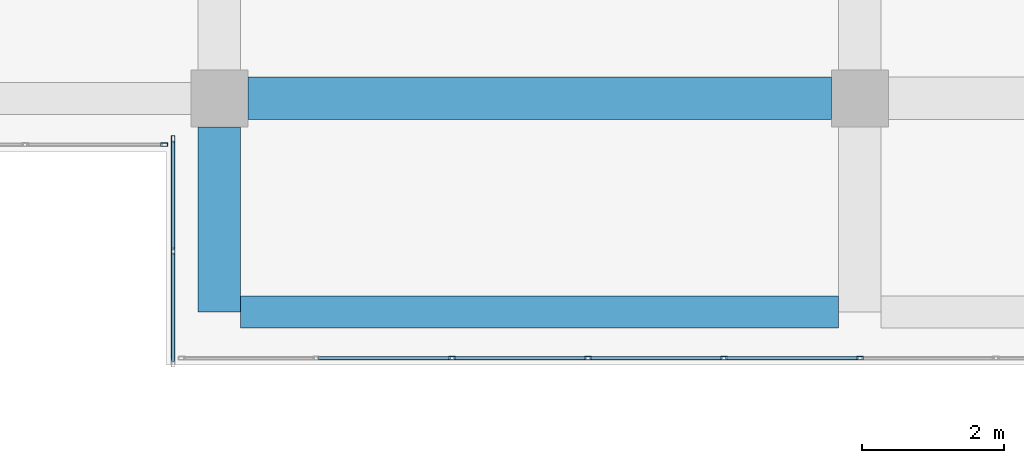
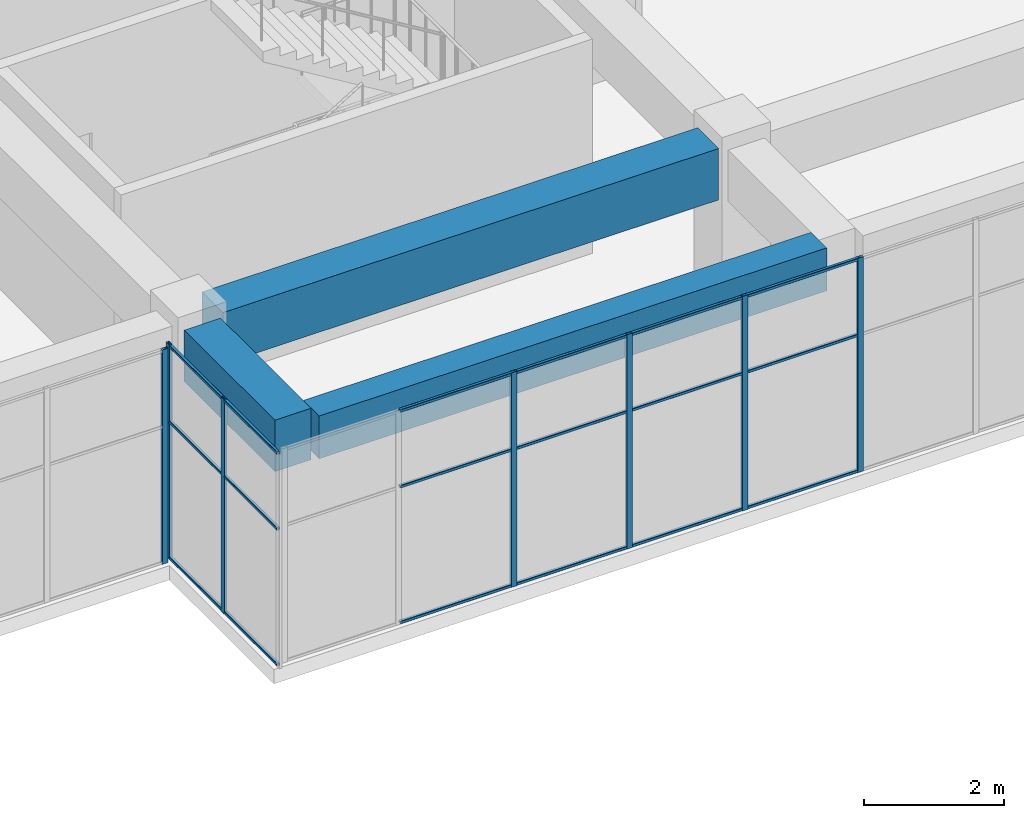
# One storey, part 24 of 55: 25 members, 3 beams, 3 elements without a shape of their own.
"""IFC4 building model written with IfcOpenShell, lengths in metres."""

from ifc_helpers import new_model, si_unit, direction, frame, origin, origin_2d, place, context, subcontext, project, spatial, rectangle, hollow_rectangle, extrude, material, layer, layer_set, material_profile, profile_set, type_object, element, aggregate, save


model = new_model("IFC4")

# Units and contexts
model_context = context("Model", 3, precision=1e-05, world=origin(), true_north=direction((0.0, 1.0)))
body_context = subcontext(model_context, "Body", "Model", "MODEL_VIEW")
ifc_project = project(units=[si_unit("LENGTHUNIT", "METRE"), si_unit("AREAUNIT", "SQUARE_METRE"), si_unit("VOLUMEUNIT", "CUBIC_METRE"), si_unit("PLANEANGLEUNIT", "RADIAN"), si_unit("MASSUNIT", "GRAM", prefix="KILO")], contexts=[model_context])

# Site, building, storey
site_placement = place(None, origin())
site = spatial("IfcSite", under=ifc_project, at=site_placement, CompositionType="ELEMENT")
building_placement = place(site_placement, origin())
building = spatial("IfcBuilding", under=site, at=building_placement, Name="Tuart Plaza Theatre", CompositionType="ELEMENT")
storey_placement = place(building_placement, frame((0.0, 0.0, 21.5)))
storey = spatial("IfcBuildingStorey", under=building, at=storey_placement, Name="L05", CompositionType="ELEMENT", Elevation=21.5)

# Beams
ifc_material_1 = material(Name="Concrete N40 (40 MPa)", Category="concrete")
ifc_material_profile_1 = material_profile(ifc_material_1, rectangle(XDim=0.449951171875, YDim=0.75, at=origin_2d()), Name="BEAM 450x750 Concrete N40 (40 MPa)")
ifc_profile_set_1 = profile_set([ifc_material_profile_1], Name="Concrete N40 (40 MPa)")
beam_type_1 = type_object("IfcBeamType", Name="BEAM 450x750 Concrete N40 (40 MPa)", PredefinedType="BEAM", material=ifc_profile_set_1)
beam_1_placement = place(storey_placement, frame((132.300048828125, 53.0, 3.375), z_axis=(1.0, 0.0, 0.0), x_axis=(0.0, 1.0, 0.0)))
element("IfcBeam", 1, at=beam_1_placement, inside=storey, type_object=beam_type_1, Name="RB221", PredefinedType="BEAM", context=body_context, shape_type="SweptSolid", body=[
    extrude(rectangle(XDim=0.449951171875, YDim=0.75, at=origin_2d()), origin(), (0.0, 0.0, 1.0), 8.39990234375),
])
ifc_material_2 = material(Name="Concrete N40 (40 MPa)", Category="concrete")
ifc_material_profile_2 = material_profile(ifc_material_2, rectangle(XDim=0.60009765625, YDim=0.89990234375, at=origin_2d()), Name="BEAM 600x900 Concrete N40 (40 MPa)")
ifc_profile_set_2 = profile_set([ifc_material_profile_2], Name="Concrete N40 (40 MPa)")
beam_type_2 = type_object("IfcBeamType", Name="BEAM 600x900 Concrete N40 (40 MPa)", PredefinedType="BEAM", material=ifc_profile_set_2)
beam_2_placement = place(storey_placement, frame((132.0, 53.0, 3.300048828125), z_axis=(0.0, 1.0, 0.0), x_axis=(-1.0, 0.0, 0.0)))
element("IfcBeam", 2, at=beam_2_placement, inside=storey, type_object=beam_type_2, Name="RB220", PredefinedType="BEAM", context=body_context, shape_type="SweptSolid", body=[
    extrude(rectangle(XDim=0.60009765625, YDim=0.89990234375, at=origin_2d()), origin(), (0.0, 0.0, 1.0), 2.60009765625),
])
beam_3_placement = place(storey_placement, frame((132.39990234375, 56.0, 3.300048828125), z_axis=(1.0, 0.0, 0.0), x_axis=(0.0, 1.0, 0.0)))
element("IfcBeam", 3, at=beam_3_placement, inside=storey, type_object=beam_type_2, Name="RB223", PredefinedType="BEAM", context=body_context, shape_type="SweptSolid", body=[
    extrude(rectangle(XDim=0.60009765625, YDim=0.89990234375, at=origin_2d()), origin(), (0.0, 0.0, 1.0), 8.2001953125),
])

# Curtain wall, members
ifc_material_3 = material(Name="Aluminium and glass", Category="aluminium")
ifc_layer = layer(ifc_material_3, 0.10009765625)
ifc_layer_set = layer_set([ifc_layer], Name="CURTAIN WALL 2000 module")
curtain_wall_type = type_object("IfcCurtainWallType", Name="CURTAIN WALL 2000 module", PredefinedType="NOTDEFINED", material=ifc_layer_set)
curtain_wall_1_placement = place(storey_placement, origin())
curtain_wall_1 = element("IfcCurtainWall", 4, at=curtain_wall_1_placement, inside=storey, type_object=curtain_wall_type, Name="CW75", PredefinedType="NOTDEFINED")
ifc_material_4 = material(Name="Aluminium 6063-T5", Category="aluminium")
ifc_material_profile_3 = material_profile(ifc_material_4, hollow_rectangle(XDim=0.050048828125, YDim=0.10009765625, WallThickness=0.00390625, InnerFilletRadius=0.00390625, OuterFilletRadius=0.008056640625, at=origin_2d()), Name="RHS 100x50x4")
ifc_profile_set_3 = profile_set([ifc_material_profile_3], Name="Aluminium 6063-T5")
member_type_1 = type_object("IfcMemberType", Name="MULLION RHS 100x50x4", PredefinedType="MULLION", material=ifc_profile_set_3)
member_1_placement = place(storey_placement, frame((131.35009765625, 55.425048828125, 0.0), z_axis=(0.0, 0.0, 1.0), x_axis=(1.0, 0.0, 0.0)))
member_1 = element("IfcMember", 5, at=member_1_placement, type_object=member_type_1, Name="CW75 mullion 1", PredefinedType="MULLION", context=body_context, shape_type="SweptSolid", body=[
    extrude(hollow_rectangle(XDim=0.050048828125, YDim=0.10009765625, WallThickness=0.00390625, InnerFilletRadius=0.00390625, OuterFilletRadius=0.008056640625, at=origin_2d()), origin(), (0.0, 0.0, 1.0), 3.75),
])
member_2_placement = place(storey_placement, frame((131.35009765625, 53.85009765625, 0.0), z_axis=(0.0, 0.0, 1.0), x_axis=(1.0, 0.0, 0.0)))
member_2 = element("IfcMember", 6, at=member_2_placement, type_object=member_type_1, Name="CW75 mullion 2", PredefinedType="MULLION", context=body_context, shape_type="SweptSolid", body=[
    extrude(hollow_rectangle(XDim=0.050048828125, YDim=0.10009765625, WallThickness=0.00390625, InnerFilletRadius=0.00390625, OuterFilletRadius=0.008056640625, at=origin_2d()), origin(), (0.0, 0.0, 1.0), 3.75),
])

curtain_wall_2_placement = place(storey_placement, origin())
curtain_wall_2 = element("IfcCurtainWall", 7, at=curtain_wall_2_placement, inside=storey, type_object=curtain_wall_type, Name="CW76", PredefinedType="NOTDEFINED")
member_3_placement = place(storey_placement, frame((135.27001953125, 52.35009765625, 0.0), z_axis=(0.0, 0.0, 1.0), x_axis=(0.0, 1.0, 0.0)))
member_3 = element("IfcMember", 8, at=member_3_placement, type_object=member_type_1, Name="CW76 mullion 3", PredefinedType="MULLION", context=body_context, shape_type="SweptSolid", body=[
    extrude(hollow_rectangle(XDim=0.050048828125, YDim=0.10009765625, WallThickness=0.00390625, InnerFilletRadius=0.00390625, OuterFilletRadius=0.008056640625, at=origin_2d()), origin(), (0.0, 0.0, 1.0), 3.75),
])
member_4_placement = place(storey_placement, frame((137.179931640625, 52.35009765625, 0.0), z_axis=(0.0, 0.0, 1.0), x_axis=(0.0, 1.0, 0.0)))
member_4 = element("IfcMember", 9, at=member_4_placement, type_object=member_type_1, Name="CW76 mullion 4", PredefinedType="MULLION", context=body_context, shape_type="SweptSolid", body=[
    extrude(hollow_rectangle(XDim=0.050048828125, YDim=0.10009765625, WallThickness=0.00390625, InnerFilletRadius=0.00390625, OuterFilletRadius=0.008056640625, at=origin_2d()), origin(), (0.0, 0.0, 1.0), 3.75),
])
member_5_placement = place(storey_placement, frame((139.090087890625, 52.35009765625, 0.0), z_axis=(0.0, 0.0, 1.0), x_axis=(0.0, 1.0, 0.0)))
member_5 = element("IfcMember", 10, at=member_5_placement, type_object=member_type_1, Name="CW76 mullion 5", PredefinedType="MULLION", context=body_context, shape_type="SweptSolid", body=[
    extrude(hollow_rectangle(XDim=0.050048828125, YDim=0.10009765625, WallThickness=0.00390625, InnerFilletRadius=0.00390625, OuterFilletRadius=0.008056640625, at=origin_2d()), origin(), (0.0, 0.0, 1.0), 3.75),
])
member_6_placement = place(storey_placement, frame((141.0, 52.35009765625, 0.0), z_axis=(0.0, 0.0, 1.0), x_axis=(0.0, 1.0, 0.0)))
member_6 = element("IfcMember", 11, at=member_6_placement, type_object=member_type_1, Name="CW76 mullion 6", PredefinedType="MULLION", context=body_context, shape_type="SweptSolid", body=[
    extrude(hollow_rectangle(XDim=0.050048828125, YDim=0.10009765625, WallThickness=0.00390625, InnerFilletRadius=0.00390625, OuterFilletRadius=0.008056640625, at=origin_2d()), origin(), (0.0, 0.0, 1.0), 3.75),
])

# Curtain wall, member
curtain_wall_3_placement = place(storey_placement, origin())
curtain_wall_3 = element("IfcCurtainWall", 12, at=curtain_wall_3_placement, inside=storey, type_object=curtain_wall_type, Name="CW87", PredefinedType="NOTDEFINED")
member_7_placement = place(storey_placement, frame((131.22509765625, 55.35009765625, 0.0), z_axis=(0.0, 0.0, 1.0), x_axis=(0.0, 1.0, 0.0)))
member_7 = element("IfcMember", 13, at=member_7_placement, type_object=member_type_1, Name="CW87 mullion 10", PredefinedType="MULLION", context=body_context, shape_type="SweptSolid", body=[
    extrude(hollow_rectangle(XDim=0.050048828125, YDim=0.10009765625, WallThickness=0.00390625, InnerFilletRadius=0.00390625, OuterFilletRadius=0.008056640625, at=origin_2d()), origin(), (0.0, 0.0, 1.0), 3.75),
])
aggregate(curtain_wall_3, [member_7])

# Member
ifc_material_5 = material(Name="Aluminium 6063-T5", Category="aluminium")
ifc_material_profile_4 = material_profile(ifc_material_5, hollow_rectangle(XDim=0.050048828125, YDim=0.050048828125, WallThickness=0.00390625, InnerFilletRadius=0.00390625, OuterFilletRadius=0.008056640625, at=origin_2d()), Name="RHS 50x50x4")
ifc_profile_set_4 = profile_set([ifc_material_profile_4], Name="Aluminium 6063-T5")
member_type_2 = type_object("IfcMemberType", Name="TRANSOM RHS 50x50x4", PredefinedType="USERDEFINED", material=ifc_profile_set_4)
member_8_placement = place(storey_placement, frame((131.35009765625, 55.39990234375, 0.02490234375), z_axis=(0.0, -1.0, 0.0), x_axis=(1.0, 0.0, 0.0)))
member_8 = element("IfcMember", 14, at=member_8_placement, type_object=member_type_2, Name="CW75 transom 1.1", ObjectType="TRANSOM", PredefinedType="USERDEFINED", context=body_context, shape_type="SweptSolid", body=[
    extrude(hollow_rectangle(XDim=0.050048828125, YDim=0.050048828125, WallThickness=0.00390625, InnerFilletRadius=0.00390625, OuterFilletRadius=0.008056640625, at=origin_2d()), origin(), (0.0, 0.0, 1.0), 1.52490234375),
])

member_9_placement = place(storey_placement, frame((131.35009765625, 55.39990234375, 2.39990234375), z_axis=(0.0, -1.0, 0.0), x_axis=(1.0, 0.0, 0.0)))
member_9 = element("IfcMember", 15, at=member_9_placement, type_object=member_type_2, Name="CW75 transom 1.2", ObjectType="TRANSOM", PredefinedType="USERDEFINED", context=body_context, shape_type="SweptSolid", body=[
    extrude(hollow_rectangle(XDim=0.050048828125, YDim=0.050048828125, WallThickness=0.00390625, InnerFilletRadius=0.00390625, OuterFilletRadius=0.008056640625, at=origin_2d()), origin(), (0.0, 0.0, 1.0), 1.52490234375),
])

member_10_placement = place(storey_placement, frame((131.35009765625, 55.39990234375, 3.72509765625), z_axis=(0.0, -1.0, 0.0), x_axis=(1.0, 0.0, 0.0)))
member_10 = element("IfcMember", 16, at=member_10_placement, type_object=member_type_2, Name="CW75 transom 1.3", ObjectType="TRANSOM", PredefinedType="USERDEFINED", context=body_context, shape_type="SweptSolid", body=[
    extrude(hollow_rectangle(XDim=0.050048828125, YDim=0.050048828125, WallThickness=0.00390625, InnerFilletRadius=0.00390625, OuterFilletRadius=0.008056640625, at=origin_2d()), origin(), (0.0, 0.0, 1.0), 1.52490234375),
])

member_11_placement = place(storey_placement, frame((131.35009765625, 53.824951171875, 0.02490234375), z_axis=(0.0, -1.0, 0.0), x_axis=(1.0, 0.0, 0.0)))
member_11 = element("IfcMember", 17, at=member_11_placement, type_object=member_type_2, Name="CW75 transom 2.1", ObjectType="TRANSOM", PredefinedType="USERDEFINED", context=body_context, shape_type="SweptSolid", body=[
    extrude(hollow_rectangle(XDim=0.050048828125, YDim=0.050048828125, WallThickness=0.00390625, InnerFilletRadius=0.00390625, OuterFilletRadius=0.008056640625, at=origin_2d()), origin(), (0.0, 0.0, 1.0), 1.52490234375),
])

member_12_placement = place(storey_placement, frame((131.35009765625, 53.824951171875, 2.39990234375), z_axis=(0.0, -1.0, 0.0), x_axis=(1.0, 0.0, 0.0)))
member_12 = element("IfcMember", 18, at=member_12_placement, type_object=member_type_2, Name="CW75 transom 2.2", ObjectType="TRANSOM", PredefinedType="USERDEFINED", context=body_context, shape_type="SweptSolid", body=[
    extrude(hollow_rectangle(XDim=0.050048828125, YDim=0.050048828125, WallThickness=0.00390625, InnerFilletRadius=0.00390625, OuterFilletRadius=0.008056640625, at=origin_2d()), origin(), (0.0, 0.0, 1.0), 1.52490234375),
])

member_13_placement = place(storey_placement, frame((131.35009765625, 53.824951171875, 3.72509765625), z_axis=(0.0, -1.0, 0.0), x_axis=(1.0, 0.0, 0.0)))
member_13 = element("IfcMember", 19, at=member_13_placement, type_object=member_type_2, Name="CW75 transom 2.3", ObjectType="TRANSOM", PredefinedType="USERDEFINED", context=body_context, shape_type="SweptSolid", body=[
    extrude(hollow_rectangle(XDim=0.050048828125, YDim=0.050048828125, WallThickness=0.00390625, InnerFilletRadius=0.00390625, OuterFilletRadius=0.008056640625, at=origin_2d()), origin(), (0.0, 0.0, 1.0), 1.52490234375),
])

aggregate(curtain_wall_1, [member_1, member_2, member_8, member_9, member_10, member_11, member_12, member_13])

member_14_placement = place(storey_placement, frame((133.385009765625, 52.35009765625, 0.02490234375), z_axis=(1.0, 0.0, 0.0), x_axis=(0.0, 1.0, 0.0)))
member_14 = element("IfcMember", 20, at=member_14_placement, type_object=member_type_2, Name="CW76 transom 2.1", ObjectType="TRANSOM", PredefinedType="USERDEFINED", context=body_context, shape_type="SweptSolid", body=[
    extrude(hollow_rectangle(XDim=0.050048828125, YDim=0.050048828125, WallThickness=0.00390625, InnerFilletRadius=0.00390625, OuterFilletRadius=0.008056640625, at=origin_2d()), origin(), (0.0, 0.0, 1.0), 1.860107421875),
])

member_15_placement = place(storey_placement, frame((133.385009765625, 52.35009765625, 2.39990234375), z_axis=(1.0, 0.0, 0.0), x_axis=(0.0, 1.0, 0.0)))
member_15 = element("IfcMember", 21, at=member_15_placement, type_object=member_type_2, Name="CW76 transom 2.2", ObjectType="TRANSOM", PredefinedType="USERDEFINED", context=body_context, shape_type="SweptSolid", body=[
    extrude(hollow_rectangle(XDim=0.050048828125, YDim=0.050048828125, WallThickness=0.00390625, InnerFilletRadius=0.00390625, OuterFilletRadius=0.008056640625, at=origin_2d()), origin(), (0.0, 0.0, 1.0), 1.860107421875),
])

member_16_placement = place(storey_placement, frame((133.385009765625, 52.35009765625, 3.72509765625), z_axis=(1.0, 0.0, 0.0), x_axis=(0.0, 1.0, 0.0)))
member_16 = element("IfcMember", 22, at=member_16_placement, type_object=member_type_2, Name="CW76 transom 2.3", ObjectType="TRANSOM", PredefinedType="USERDEFINED", context=body_context, shape_type="SweptSolid", body=[
    extrude(hollow_rectangle(XDim=0.050048828125, YDim=0.050048828125, WallThickness=0.00390625, InnerFilletRadius=0.00390625, OuterFilletRadius=0.008056640625, at=origin_2d()), origin(), (0.0, 0.0, 1.0), 1.860107421875),
])

member_17_placement = place(storey_placement, frame((135.294921875, 52.35009765625, 0.02490234375), z_axis=(1.0, 0.0, 0.0), x_axis=(0.0, 1.0, 0.0)))
member_17 = element("IfcMember", 23, at=member_17_placement, type_object=member_type_2, Name="CW76 transom 3.1", ObjectType="TRANSOM", PredefinedType="USERDEFINED", context=body_context, shape_type="SweptSolid", body=[
    extrude(hollow_rectangle(XDim=0.050048828125, YDim=0.050048828125, WallThickness=0.00390625, InnerFilletRadius=0.00390625, OuterFilletRadius=0.008056640625, at=origin_2d()), origin(), (0.0, 0.0, 1.0), 1.860107421875),
])

member_18_placement = place(storey_placement, frame((135.294921875, 52.35009765625, 2.39990234375), z_axis=(1.0, 0.0, 0.0), x_axis=(0.0, 1.0, 0.0)))
member_18 = element("IfcMember", 24, at=member_18_placement, type_object=member_type_2, Name="CW76 transom 3.2", ObjectType="TRANSOM", PredefinedType="USERDEFINED", context=body_context, shape_type="SweptSolid", body=[
    extrude(hollow_rectangle(XDim=0.050048828125, YDim=0.050048828125, WallThickness=0.00390625, InnerFilletRadius=0.00390625, OuterFilletRadius=0.008056640625, at=origin_2d()), origin(), (0.0, 0.0, 1.0), 1.860107421875),
])

member_19_placement = place(storey_placement, frame((135.294921875, 52.35009765625, 3.72509765625), z_axis=(1.0, 0.0, 0.0), x_axis=(0.0, 1.0, 0.0)))
member_19 = element("IfcMember", 25, at=member_19_placement, type_object=member_type_2, Name="CW76 transom 3.3", ObjectType="TRANSOM", PredefinedType="USERDEFINED", context=body_context, shape_type="SweptSolid", body=[
    extrude(hollow_rectangle(XDim=0.050048828125, YDim=0.050048828125, WallThickness=0.00390625, InnerFilletRadius=0.00390625, OuterFilletRadius=0.008056640625, at=origin_2d()), origin(), (0.0, 0.0, 1.0), 1.860107421875),
])

member_20_placement = place(storey_placement, frame((137.205078125, 52.35009765625, 0.02490234375), z_axis=(1.0, 0.0, 0.0), x_axis=(0.0, 1.0, 0.0)))
member_20 = element("IfcMember", 26, at=member_20_placement, type_object=member_type_2, Name="CW76 transom 4.1", ObjectType="TRANSOM", PredefinedType="USERDEFINED", context=body_context, shape_type="SweptSolid", body=[
    extrude(hollow_rectangle(XDim=0.050048828125, YDim=0.050048828125, WallThickness=0.00390625, InnerFilletRadius=0.00390625, OuterFilletRadius=0.008056640625, at=origin_2d()), origin(), (0.0, 0.0, 1.0), 1.85986328125),
])

member_21_placement = place(storey_placement, frame((137.205078125, 52.35009765625, 2.39990234375), z_axis=(1.0, 0.0, 0.0), x_axis=(0.0, 1.0, 0.0)))
member_21 = element("IfcMember", 27, at=member_21_placement, type_object=member_type_2, Name="CW76 transom 4.2", ObjectType="TRANSOM", PredefinedType="USERDEFINED", context=body_context, shape_type="SweptSolid", body=[
    extrude(hollow_rectangle(XDim=0.050048828125, YDim=0.050048828125, WallThickness=0.00390625, InnerFilletRadius=0.00390625, OuterFilletRadius=0.008056640625, at=origin_2d()), origin(), (0.0, 0.0, 1.0), 1.85986328125),
])

member_22_placement = place(storey_placement, frame((137.205078125, 52.35009765625, 3.72509765625), z_axis=(1.0, 0.0, 0.0), x_axis=(0.0, 1.0, 0.0)))
member_22 = element("IfcMember", 28, at=member_22_placement, type_object=member_type_2, Name="CW76 transom 4.3", ObjectType="TRANSOM", PredefinedType="USERDEFINED", context=body_context, shape_type="SweptSolid", body=[
    extrude(hollow_rectangle(XDim=0.050048828125, YDim=0.050048828125, WallThickness=0.00390625, InnerFilletRadius=0.00390625, OuterFilletRadius=0.008056640625, at=origin_2d()), origin(), (0.0, 0.0, 1.0), 1.85986328125),
])

member_23_placement = place(storey_placement, frame((139.114990234375, 52.35009765625, 0.02490234375), z_axis=(1.0, 0.0, 0.0), x_axis=(0.0, 1.0, 0.0)))
member_23 = element("IfcMember", 29, at=member_23_placement, type_object=member_type_2, Name="CW76 transom 5.1", ObjectType="TRANSOM", PredefinedType="USERDEFINED", context=body_context, shape_type="SweptSolid", body=[
    extrude(hollow_rectangle(XDim=0.050048828125, YDim=0.050048828125, WallThickness=0.00390625, InnerFilletRadius=0.00390625, OuterFilletRadius=0.008056640625, at=origin_2d()), origin(), (0.0, 0.0, 1.0), 1.860107421875),
])

member_24_placement = place(storey_placement, frame((139.114990234375, 52.35009765625, 2.39990234375), z_axis=(1.0, 0.0, 0.0), x_axis=(0.0, 1.0, 0.0)))
member_24 = element("IfcMember", 30, at=member_24_placement, type_object=member_type_2, Name="CW76 transom 5.2", ObjectType="TRANSOM", PredefinedType="USERDEFINED", context=body_context, shape_type="SweptSolid", body=[
    extrude(hollow_rectangle(XDim=0.050048828125, YDim=0.050048828125, WallThickness=0.00390625, InnerFilletRadius=0.00390625, OuterFilletRadius=0.008056640625, at=origin_2d()), origin(), (0.0, 0.0, 1.0), 1.860107421875),
])

member_25_placement = place(storey_placement, frame((139.114990234375, 52.35009765625, 3.72509765625), z_axis=(1.0, 0.0, 0.0), x_axis=(0.0, 1.0, 0.0)))
member_25 = element("IfcMember", 31, at=member_25_placement, type_object=member_type_2, Name="CW76 transom 5.3", ObjectType="TRANSOM", PredefinedType="USERDEFINED", context=body_context, shape_type="SweptSolid", body=[
    extrude(hollow_rectangle(XDim=0.050048828125, YDim=0.050048828125, WallThickness=0.00390625, InnerFilletRadius=0.00390625, OuterFilletRadius=0.008056640625, at=origin_2d()), origin(), (0.0, 0.0, 1.0), 1.860107421875),
])

aggregate(curtain_wall_2, [member_3, member_4, member_5, member_6, member_14, member_15, member_16, member_17, member_18, member_19, member_20, member_21, member_22, member_23, member_24, member_25])

save(model, "model.ifc")
